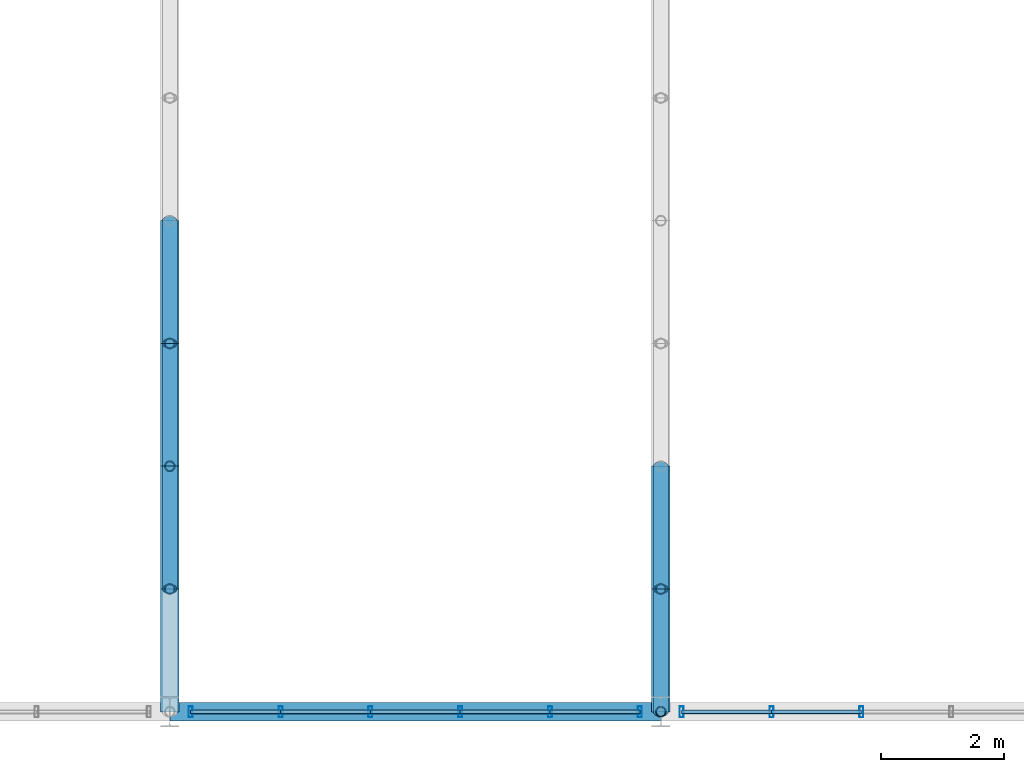
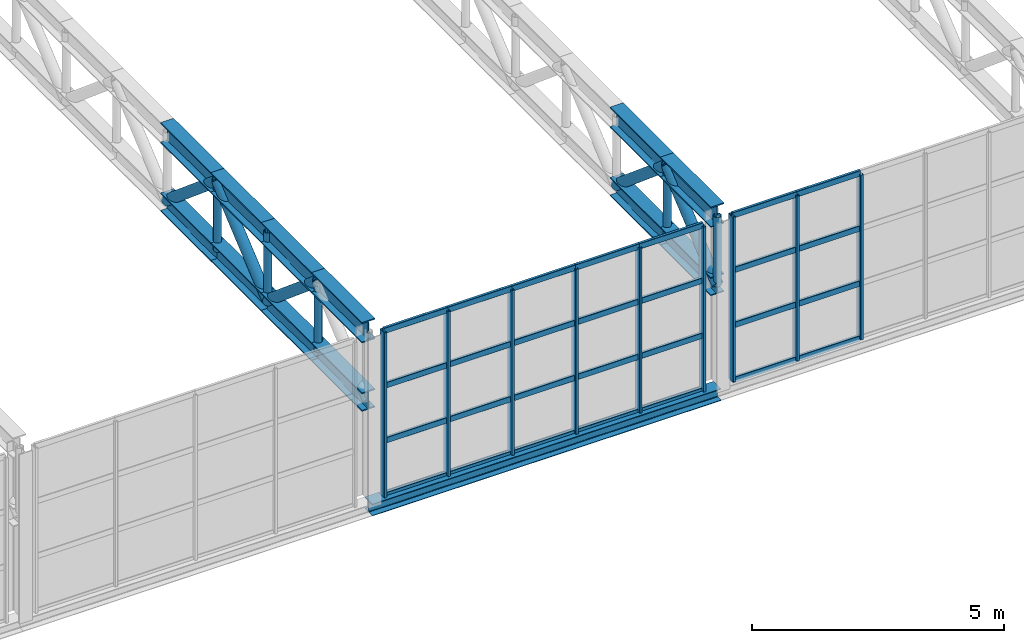
# One storey, part 13 of 67: 59 members, 1 beam, 2 elements without a shape of their own.
"""IFC4 building model written with IfcOpenShell, lengths in metres."""

from ifc_helpers import new_model, si_unit, derived_unit, direction, frame, origin, origin_2d, place, context, subcontext, project, spatial, hollow_rectangle, hollow_circle, i_section, extrude, material, material_profile, profile_set, type_object, element, aggregate, save


model = new_model("IFC4")

# Units and contexts
model_context = context("Model", 3, precision=1e-05, world=origin(), true_north=direction((0.0, 1.0)))
body_context = subcontext(model_context, "Body", "Model", "MODEL_VIEW")
ifc_project = project(units=[si_unit("LENGTHUNIT", "METRE"), si_unit("AREAUNIT", "SQUARE_METRE"), si_unit("VOLUMEUNIT", "CUBIC_METRE"), si_unit("PLANEANGLEUNIT", "RADIAN"), si_unit("MASSUNIT", "GRAM", prefix="KILO"), derived_unit("THERMALTRANSMITTANCEUNIT", [(si_unit("POWERUNIT", "WATT"), 1), (si_unit("LENGTHUNIT", "METRE"), -2), (si_unit("THERMODYNAMICTEMPERATUREUNIT", "KELVIN"), -1)])], contexts=[model_context])

# Site, building, storey
site_placement = place(None, origin())
site = spatial("IfcSite", under=ifc_project, at=site_placement, CompositionType="ELEMENT")
building_placement = place(site_placement, origin())
building = spatial("IfcBuilding", under=site, at=building_placement, Name="Keldorne Ridge Multi-Sports Centre", CompositionType="ELEMENT")
storey_placement = place(building_placement, frame((0.0, 0.0, 14.0)))
storey = spatial("IfcBuildingStorey", under=building, at=storey_placement, Name="L03", CompositionType="ELEMENT", Elevation=14.0)

# Beam
ifc_material_1 = material(Name="Steel S355", Category="steel")
ifc_material_profile_1 = material_profile(ifc_material_1, i_section(OverallWidth=0.300048828125, OverallDepth=0.2900390625, WebThickness=0.008544921875, FlangeThickness=0.013916015625, FilletRadius=0.027099609375, at=origin_2d()), Name="HEA 300")
ifc_profile_set_1 = profile_set([ifc_material_profile_1], Name="Steel S355")
beam_type = type_object("IfcBeamType", Name="BM-SP-04", PredefinedType="SPANDREL", material=ifc_profile_set_1)
beam_placement = place(storey_placement, frame((120.0, 6.0, -0.14990234375), z_axis=(1.0, 0.0, 0.0), x_axis=(0.0, 1.0, 0.0)))
element("IfcBeam", 1, at=beam_placement, inside=storey, type_object=beam_type, Name="Stacked Courts spandrel L03.6.3", PredefinedType="SPANDREL", context=body_context, shape_type="SweptSolid", body=[
    extrude(i_section(OverallWidth=0.300048828125, OverallDepth=0.2900390625, WebThickness=0.008544921875, FlangeThickness=0.013916015625, FilletRadius=0.027099609375, at=origin_2d()), origin(), (0.0, 0.0, 1.0), 8.0),
])

# Curtain wall, members
ifc_material_2 = material(Name="Anodized aluminium", Category="aluminium")
curtain_wall_type_1 = type_object("IfcCurtainWallType", Name="CW-CW-06", PredefinedType="NOTDEFINED", material=ifc_material_2)
curtain_wall_1_placement = place(storey_placement, origin())
curtain_wall_1 = element("IfcCurtainWall", 2, at=curtain_wall_1_placement, inside=storey, type_object=curtain_wall_type_1, Name="Upper Courts high clerestory 102", PredefinedType="NOTDEFINED")
ifc_material_profile_2 = material_profile(ifc_material_2, hollow_rectangle(XDim=0.06494140625, YDim=0.179931640625, WallThickness=0.00439453125, InnerFilletRadius=0.00439453125, OuterFilletRadius=0.009033203125, at=origin_2d()), Name="ALU MULLION 180x65x4.5")
ifc_profile_set_2 = profile_set([ifc_material_profile_2], Name="Anodized aluminium")
member_type_1 = type_object("IfcMemberType", Name="MEM-ML-01", PredefinedType="MULLION", material=ifc_profile_set_2)
member_1_placement = place(storey_placement, frame((120.340087890625, 6.0, 0.0), z_axis=(0.0, 0.0, 1.0), x_axis=(1.0, 0.0, 0.0)))
member_1 = element("IfcMember", 3, at=member_1_placement, type_object=member_type_1, Name="CW-102 vertical mullion 1", PredefinedType="MULLION", context=body_context, shape_type="SweptSolid", body=[
    extrude(hollow_rectangle(XDim=0.06494140625, YDim=0.179931640625, WallThickness=0.00439453125, InnerFilletRadius=0.00439453125, OuterFilletRadius=0.009033203125, at=origin_2d()), origin(), (0.0, 0.0, 1.0), 4.0),
])
member_2_placement = place(storey_placement, frame((121.803955078125, 6.0, 0.0), z_axis=(0.0, 0.0, 1.0), x_axis=(1.0, 0.0, 0.0)))
member_2 = element("IfcMember", 4, at=member_2_placement, type_object=member_type_1, Name="CW-102 vertical mullion 2", PredefinedType="MULLION", context=body_context, shape_type="SweptSolid", body=[
    extrude(hollow_rectangle(XDim=0.06494140625, YDim=0.179931640625, WallThickness=0.00439453125, InnerFilletRadius=0.00439453125, OuterFilletRadius=0.009033203125, at=origin_2d()), origin(), (0.0, 0.0, 1.0), 4.0),
])
member_3_placement = place(storey_placement, frame((123.26806640625, 6.0, 0.0), z_axis=(0.0, 0.0, 1.0), x_axis=(1.0, 0.0, 0.0)))
member_3 = element("IfcMember", 5, at=member_3_placement, type_object=member_type_1, Name="CW-102 vertical mullion 3", PredefinedType="MULLION", context=body_context, shape_type="SweptSolid", body=[
    extrude(hollow_rectangle(XDim=0.06494140625, YDim=0.179931640625, WallThickness=0.00439453125, InnerFilletRadius=0.00439453125, OuterFilletRadius=0.009033203125, at=origin_2d()), origin(), (0.0, 0.0, 1.0), 4.0),
])
member_4_placement = place(storey_placement, frame((124.73193359375, 6.0, 0.0), z_axis=(0.0, 0.0, 1.0), x_axis=(1.0, 0.0, 0.0)))
member_4 = element("IfcMember", 6, at=member_4_placement, type_object=member_type_1, Name="CW-102 vertical mullion 4", PredefinedType="MULLION", context=body_context, shape_type="SweptSolid", body=[
    extrude(hollow_rectangle(XDim=0.06494140625, YDim=0.179931640625, WallThickness=0.00439453125, InnerFilletRadius=0.00439453125, OuterFilletRadius=0.009033203125, at=origin_2d()), origin(), (0.0, 0.0, 1.0), 4.0),
])
member_5_placement = place(storey_placement, frame((126.196044921875, 6.0, 0.0), z_axis=(0.0, 0.0, 1.0), x_axis=(1.0, 0.0, 0.0)))
member_5 = element("IfcMember", 7, at=member_5_placement, type_object=member_type_1, Name="CW-102 vertical mullion 5", PredefinedType="MULLION", context=body_context, shape_type="SweptSolid", body=[
    extrude(hollow_rectangle(XDim=0.06494140625, YDim=0.179931640625, WallThickness=0.00439453125, InnerFilletRadius=0.00439453125, OuterFilletRadius=0.009033203125, at=origin_2d()), origin(), (0.0, 0.0, 1.0), 4.0),
])
member_6_placement = place(storey_placement, frame((127.659912109375, 6.0, 0.0), z_axis=(0.0, 0.0, 1.0), x_axis=(1.0, 0.0, 0.0)))
member_6 = element("IfcMember", 8, at=member_6_placement, type_object=member_type_1, Name="CW-102 vertical mullion 6", PredefinedType="MULLION", context=body_context, shape_type="SweptSolid", body=[
    extrude(hollow_rectangle(XDim=0.06494140625, YDim=0.179931640625, WallThickness=0.00439453125, InnerFilletRadius=0.00439453125, OuterFilletRadius=0.009033203125, at=origin_2d()), origin(), (0.0, 0.0, 1.0), 4.0),
])

curtain_wall_type_2 = type_object("IfcCurtainWallType", Name="CW-CW-04", PredefinedType="NOTDEFINED", material=ifc_material_2)
curtain_wall_2_placement = place(storey_placement, origin())
curtain_wall_2 = element("IfcCurtainWall", 9, at=curtain_wall_2_placement, inside=storey, type_object=curtain_wall_type_2, Name="Upper Courts high clerestory 108", PredefinedType="NOTDEFINED")
member_7_placement = place(storey_placement, frame((128.340087890625, 6.0, 0.0), z_axis=(0.0, 0.0, 1.0), x_axis=(1.0, 0.0, 0.0)))
member_7 = element("IfcMember", 10, at=member_7_placement, type_object=member_type_1, Name="CW-108 vertical mullion 1", PredefinedType="MULLION", context=body_context, shape_type="SweptSolid", body=[
    extrude(hollow_rectangle(XDim=0.06494140625, YDim=0.179931640625, WallThickness=0.00439453125, InnerFilletRadius=0.00439453125, OuterFilletRadius=0.009033203125, at=origin_2d()), origin(), (0.0, 0.0, 1.0), 4.0),
])
member_8_placement = place(storey_placement, frame((129.803955078125, 6.0, 0.0), z_axis=(0.0, 0.0, 1.0), x_axis=(1.0, 0.0, 0.0)))
member_8 = element("IfcMember", 11, at=member_8_placement, type_object=member_type_1, Name="CW-108 vertical mullion 2", PredefinedType="MULLION", context=body_context, shape_type="SweptSolid", body=[
    extrude(hollow_rectangle(XDim=0.06494140625, YDim=0.179931640625, WallThickness=0.00439453125, InnerFilletRadius=0.00439453125, OuterFilletRadius=0.009033203125, at=origin_2d()), origin(), (0.0, 0.0, 1.0), 4.0),
])
member_9_placement = place(storey_placement, frame((131.26806640625, 6.0, 0.0), z_axis=(0.0, 0.0, 1.0), x_axis=(1.0, 0.0, 0.0)))
member_9 = element("IfcMember", 12, at=member_9_placement, type_object=member_type_1, Name="CW-108 vertical mullion 3", PredefinedType="MULLION", context=body_context, shape_type="SweptSolid", body=[
    extrude(hollow_rectangle(XDim=0.06494140625, YDim=0.179931640625, WallThickness=0.00439453125, InnerFilletRadius=0.00439453125, OuterFilletRadius=0.009033203125, at=origin_2d()), origin(), (0.0, 0.0, 1.0), 4.0),
])

# Members
ifc_material_profile_3 = material_profile(ifc_material_1, i_section(OverallWidth=0.300048828125, OverallDepth=0.5, WebThickness=0.014404296875, FlangeThickness=0.028076171875, FilletRadius=0.027099609375, at=origin_2d()), Name="HEB 500")
ifc_profile_set_3 = profile_set([ifc_material_profile_3], Name="Steel S355")
member_type_2 = type_object("IfcMemberType", Name="MEM-TC-03", PredefinedType="CHORD", material=ifc_profile_set_3)
for number, where, z_axis, x_axis, name in (
    (13, (120.0, 6.0, 4.110107421875), (0.0, 1.0, 0.0), (-1.0, 0.0, 0.0), "Stacked Courts Warren TRUSS WT-L04-03 top chord 1"),
    (14, (120.0, 8.0, 4.110107421875), (0.0, 1.0, 0.0), (-1.0, 0.0, 0.0), "Stacked Courts Warren TRUSS WT-L04-03 top chord 2"),
    (15, (120.0, 10.0, 4.110107421875), (0.0, 1.0, 0.0), (-1.0, 0.0, 0.0), "Stacked Courts Warren TRUSS WT-L04-03 top chord 3"),
    (16, (120.0, 12.0, 4.110107421875), (0.0, 1.0, 0.0), (-1.0, 0.0, 0.0), "Stacked Courts Warren TRUSS WT-L04-03 top chord 4"),
    (17, (128.0, 6.0, 4.110107421875), (0.0, 1.0, 0.0), (-1.0, 0.0, 0.0), "Stacked Courts Warren TRUSS WT-L04-04 top chord 1"),
    (18, (128.0, 8.0, 4.110107421875), (0.0, 1.0, 0.0), (-1.0, 0.0, 0.0), "Stacked Courts Warren TRUSS WT-L04-04 top chord 2"),
):
    element("IfcMember", number, at=place(storey_placement, frame(where, z_axis=z_axis, x_axis=x_axis)), inside=storey, type_object=member_type_2, Name=name, PredefinedType="CHORD", context=body_context, shape_type="SweptSolid", body=[
        extrude(i_section(OverallWidth=0.300048828125, OverallDepth=0.5, WebThickness=0.014404296875, FlangeThickness=0.028076171875, FilletRadius=0.027099609375, at=origin_2d()), origin(), (0.0, 0.0, 1.0), 2.0),
    ])
ifc_material_profile_4 = material_profile(ifc_material_1, i_section(OverallWidth=0.300048828125, OverallDepth=0.449951171875, WebThickness=0.013916015625, FlangeThickness=0.02587890625, FilletRadius=0.027099609375, at=origin_2d()), Name="HEB 450")
ifc_profile_set_4 = profile_set([ifc_material_profile_4], Name="Steel S355")
member_type_3 = type_object("IfcMemberType", Name="MEM-TC-04", PredefinedType="CHORD", material=ifc_profile_set_4)
for number, where, z_axis, x_axis, name in (
    (19, (120.0, 6.0, 2.429931640625), (0.0, 1.0, 0.0), (-1.0, 0.0, 0.0), "Stacked Courts Warren TRUSS WT-L04-03 bottom chord 1"),
    (20, (120.0, 8.0, 2.429931640625), (0.0, 1.0, 0.0), (-1.0, 0.0, 0.0), "Stacked Courts Warren TRUSS WT-L04-03 bottom chord 2"),
    (21, (120.0, 10.0, 2.429931640625), (0.0, 1.0, 0.0), (-1.0, 0.0, 0.0), "Stacked Courts Warren TRUSS WT-L04-03 bottom chord 3"),
    (22, (120.0, 12.0, 2.429931640625), (0.0, 1.0, 0.0), (-1.0, 0.0, 0.0), "Stacked Courts Warren TRUSS WT-L04-03 bottom chord 4"),
    (23, (128.0, 6.0, 2.429931640625), (0.0, 1.0, 0.0), (-1.0, 0.0, 0.0), "Stacked Courts Warren TRUSS WT-L04-04 bottom chord 1"),
    (24, (128.0, 8.0, 2.429931640625), (0.0, 1.0, 0.0), (-1.0, 0.0, 0.0), "Stacked Courts Warren TRUSS WT-L04-04 bottom chord 2"),
):
    element("IfcMember", number, at=place(storey_placement, frame(where, z_axis=z_axis, x_axis=x_axis)), inside=storey, type_object=member_type_3, Name=name, PredefinedType="CHORD", context=body_context, shape_type="SweptSolid", body=[
        extrude(i_section(OverallWidth=0.300048828125, OverallDepth=0.449951171875, WebThickness=0.013916015625, FlangeThickness=0.02587890625, FilletRadius=0.027099609375, at=origin_2d()), origin(), (0.0, 0.0, 1.0), 2.0),
    ])
ifc_material_profile_5 = material_profile(ifc_material_1, hollow_circle(Radius=0.122314453125, WallThickness=0.012451171875, at=origin_2d()), Name="CHS 244.5x12.5")
ifc_profile_set_5 = profile_set([ifc_material_profile_5], Name="Steel S355")
member_type_4 = type_object("IfcMemberType", Name="MEM-TD-02", PredefinedType="BRACE", material=ifc_profile_set_5)
for number, where, z_axis, x_axis, name in (
    (25, (120.0, 8.0, 4.110107421875), (0.0, 0.765671721121, -0.643231541108), (-1.0, 0.0, 0.0), "Stacked Courts Warren TRUSS WT-L04-03 diagonal 2"),
    (26, (120.0, 10.0, 2.429931640625), (0.0, 0.765671721121, 0.643231541108), (-1.0, 0.0, 0.0), "Stacked Courts Warren TRUSS WT-L04-03 diagonal 3"),
    (27, (120.0, 12.0, 4.110107421875), (0.0, 0.765671721121, -0.643231541108), (-1.0, 0.0, 0.0), "Stacked Courts Warren TRUSS WT-L04-03 diagonal 4"),
    (28, (128.0, 6.0, 2.429931640625), (0.0, 0.765671721121, 0.643231541108), (-1.0, 0.0, 0.0), "Stacked Courts Warren TRUSS WT-L04-04 diagonal 1"),
    (29, (128.0, 8.0, 4.110107421875), (0.0, 0.765671721121, -0.643231541108), (-1.0, 0.0, 0.0), "Stacked Courts Warren TRUSS WT-L04-04 diagonal 2"),
):
    element("IfcMember", number, at=place(storey_placement, frame(where, z_axis=z_axis, x_axis=x_axis)), inside=storey, type_object=member_type_4, Name=name, PredefinedType="BRACE", context=body_context, shape_type="SweptSolid", body=[
        extrude(hollow_circle(Radius=0.122314453125, WallThickness=0.012451171875, at=origin_2d()), origin(), (0.0, 0.0, 1.0), 2.612060546875),
    ])

# Member
ifc_material_profile_6 = material_profile(ifc_material_2, hollow_rectangle(XDim=0.06494140625, YDim=0.139892578125, WallThickness=0.00439453125, InnerFilletRadius=0.00439453125, OuterFilletRadius=0.009033203125, at=origin_2d()), Name="ALU TRANSOM 140x65x4.5")
ifc_profile_set_6 = profile_set([ifc_material_profile_6], Name="Anodized aluminium")
member_type_5 = type_object("IfcMemberType", Name="MEM-TR-01", PredefinedType="USERDEFINED", material=ifc_profile_set_6)
member_10_placement = place(storey_placement, frame((120.340087890625, 6.0, 0.0), z_axis=(1.0, 0.0, 0.0), x_axis=(0.0, 1.0, 0.0)))
member_10 = element("IfcMember", 30, at=member_10_placement, type_object=member_type_5, Name="CW-102 transom 1.1", ObjectType="TRANSOM", PredefinedType="USERDEFINED", context=body_context, shape_type="SweptSolid", body=[
    extrude(hollow_rectangle(XDim=0.06494140625, YDim=0.139892578125, WallThickness=0.00439453125, InnerFilletRadius=0.00439453125, OuterFilletRadius=0.009033203125, at=origin_2d()), origin(), (0.0, 0.0, 1.0), 1.4638671875),
])

member_11_placement = place(storey_placement, frame((120.340087890625, 6.0, 1.333251953125), z_axis=(1.0, 0.0, 0.0), x_axis=(0.0, 1.0, 0.0)))
member_11 = element("IfcMember", 31, at=member_11_placement, type_object=member_type_5, Name="CW-102 transom 1.2", ObjectType="TRANSOM", PredefinedType="USERDEFINED", context=body_context, shape_type="SweptSolid", body=[
    extrude(hollow_rectangle(XDim=0.06494140625, YDim=0.139892578125, WallThickness=0.00439453125, InnerFilletRadius=0.00439453125, OuterFilletRadius=0.009033203125, at=origin_2d()), origin(), (0.0, 0.0, 1.0), 1.4638671875),
])

member_12_placement = place(storey_placement, frame((120.340087890625, 6.0, 2.666748046875), z_axis=(1.0, 0.0, 0.0), x_axis=(0.0, 1.0, 0.0)))
member_12 = element("IfcMember", 32, at=member_12_placement, type_object=member_type_5, Name="CW-102 transom 1.3", ObjectType="TRANSOM", PredefinedType="USERDEFINED", context=body_context, shape_type="SweptSolid", body=[
    extrude(hollow_rectangle(XDim=0.06494140625, YDim=0.139892578125, WallThickness=0.00439453125, InnerFilletRadius=0.00439453125, OuterFilletRadius=0.009033203125, at=origin_2d()), origin(), (0.0, 0.0, 1.0), 1.4638671875),
])

member_13_placement = place(storey_placement, frame((120.340087890625, 6.0, 4.0), z_axis=(1.0, 0.0, 0.0), x_axis=(0.0, 1.0, 0.0)))
member_13 = element("IfcMember", 33, at=member_13_placement, type_object=member_type_5, Name="CW-102 transom 1.4", ObjectType="TRANSOM", PredefinedType="USERDEFINED", context=body_context, shape_type="SweptSolid", body=[
    extrude(hollow_rectangle(XDim=0.06494140625, YDim=0.139892578125, WallThickness=0.00439453125, InnerFilletRadius=0.00439453125, OuterFilletRadius=0.009033203125, at=origin_2d()), origin(), (0.0, 0.0, 1.0), 1.4638671875),
])

member_14_placement = place(storey_placement, frame((121.803955078125, 6.0, 0.0), z_axis=(1.0, 0.0, 0.0), x_axis=(0.0, 1.0, 0.0)))
member_14 = element("IfcMember", 34, at=member_14_placement, type_object=member_type_5, Name="CW-102 transom 2.1", ObjectType="TRANSOM", PredefinedType="USERDEFINED", context=body_context, shape_type="SweptSolid", body=[
    extrude(hollow_rectangle(XDim=0.06494140625, YDim=0.139892578125, WallThickness=0.00439453125, InnerFilletRadius=0.00439453125, OuterFilletRadius=0.009033203125, at=origin_2d()), origin(), (0.0, 0.0, 1.0), 1.464111328125),
])

member_15_placement = place(storey_placement, frame((121.803955078125, 6.0, 1.333251953125), z_axis=(1.0, 0.0, 0.0), x_axis=(0.0, 1.0, 0.0)))
member_15 = element("IfcMember", 35, at=member_15_placement, type_object=member_type_5, Name="CW-102 transom 2.2", ObjectType="TRANSOM", PredefinedType="USERDEFINED", context=body_context, shape_type="SweptSolid", body=[
    extrude(hollow_rectangle(XDim=0.06494140625, YDim=0.139892578125, WallThickness=0.00439453125, InnerFilletRadius=0.00439453125, OuterFilletRadius=0.009033203125, at=origin_2d()), origin(), (0.0, 0.0, 1.0), 1.464111328125),
])

member_16_placement = place(storey_placement, frame((121.803955078125, 6.0, 2.666748046875), z_axis=(1.0, 0.0, 0.0), x_axis=(0.0, 1.0, 0.0)))
member_16 = element("IfcMember", 36, at=member_16_placement, type_object=member_type_5, Name="CW-102 transom 2.3", ObjectType="TRANSOM", PredefinedType="USERDEFINED", context=body_context, shape_type="SweptSolid", body=[
    extrude(hollow_rectangle(XDim=0.06494140625, YDim=0.139892578125, WallThickness=0.00439453125, InnerFilletRadius=0.00439453125, OuterFilletRadius=0.009033203125, at=origin_2d()), origin(), (0.0, 0.0, 1.0), 1.464111328125),
])

member_17_placement = place(storey_placement, frame((121.803955078125, 6.0, 4.0), z_axis=(1.0, 0.0, 0.0), x_axis=(0.0, 1.0, 0.0)))
member_17 = element("IfcMember", 37, at=member_17_placement, type_object=member_type_5, Name="CW-102 transom 2.4", ObjectType="TRANSOM", PredefinedType="USERDEFINED", context=body_context, shape_type="SweptSolid", body=[
    extrude(hollow_rectangle(XDim=0.06494140625, YDim=0.139892578125, WallThickness=0.00439453125, InnerFilletRadius=0.00439453125, OuterFilletRadius=0.009033203125, at=origin_2d()), origin(), (0.0, 0.0, 1.0), 1.464111328125),
])

member_18_placement = place(storey_placement, frame((123.26806640625, 6.0, 0.0), z_axis=(1.0, 0.0, 0.0), x_axis=(0.0, 1.0, 0.0)))
member_18 = element("IfcMember", 38, at=member_18_placement, type_object=member_type_5, Name="CW-102 transom 3.1", ObjectType="TRANSOM", PredefinedType="USERDEFINED", context=body_context, shape_type="SweptSolid", body=[
    extrude(hollow_rectangle(XDim=0.06494140625, YDim=0.139892578125, WallThickness=0.00439453125, InnerFilletRadius=0.00439453125, OuterFilletRadius=0.009033203125, at=origin_2d()), origin(), (0.0, 0.0, 1.0), 1.4638671875),
])

member_19_placement = place(storey_placement, frame((123.26806640625, 6.0, 1.333251953125), z_axis=(1.0, 0.0, 0.0), x_axis=(0.0, 1.0, 0.0)))
member_19 = element("IfcMember", 39, at=member_19_placement, type_object=member_type_5, Name="CW-102 transom 3.2", ObjectType="TRANSOM", PredefinedType="USERDEFINED", context=body_context, shape_type="SweptSolid", body=[
    extrude(hollow_rectangle(XDim=0.06494140625, YDim=0.139892578125, WallThickness=0.00439453125, InnerFilletRadius=0.00439453125, OuterFilletRadius=0.009033203125, at=origin_2d()), origin(), (0.0, 0.0, 1.0), 1.4638671875),
])

member_20_placement = place(storey_placement, frame((123.26806640625, 6.0, 2.666748046875), z_axis=(1.0, 0.0, 0.0), x_axis=(0.0, 1.0, 0.0)))
member_20 = element("IfcMember", 40, at=member_20_placement, type_object=member_type_5, Name="CW-102 transom 3.3", ObjectType="TRANSOM", PredefinedType="USERDEFINED", context=body_context, shape_type="SweptSolid", body=[
    extrude(hollow_rectangle(XDim=0.06494140625, YDim=0.139892578125, WallThickness=0.00439453125, InnerFilletRadius=0.00439453125, OuterFilletRadius=0.009033203125, at=origin_2d()), origin(), (0.0, 0.0, 1.0), 1.4638671875),
])

member_21_placement = place(storey_placement, frame((123.26806640625, 6.0, 4.0), z_axis=(1.0, 0.0, 0.0), x_axis=(0.0, 1.0, 0.0)))
member_21 = element("IfcMember", 41, at=member_21_placement, type_object=member_type_5, Name="CW-102 transom 3.4", ObjectType="TRANSOM", PredefinedType="USERDEFINED", context=body_context, shape_type="SweptSolid", body=[
    extrude(hollow_rectangle(XDim=0.06494140625, YDim=0.139892578125, WallThickness=0.00439453125, InnerFilletRadius=0.00439453125, OuterFilletRadius=0.009033203125, at=origin_2d()), origin(), (0.0, 0.0, 1.0), 1.4638671875),
])

member_22_placement = place(storey_placement, frame((124.73193359375, 6.0, 0.0), z_axis=(1.0, 0.0, 0.0), x_axis=(0.0, 1.0, 0.0)))
member_22 = element("IfcMember", 42, at=member_22_placement, type_object=member_type_5, Name="CW-102 transom 4.1", ObjectType="TRANSOM", PredefinedType="USERDEFINED", context=body_context, shape_type="SweptSolid", body=[
    extrude(hollow_rectangle(XDim=0.06494140625, YDim=0.139892578125, WallThickness=0.00439453125, InnerFilletRadius=0.00439453125, OuterFilletRadius=0.009033203125, at=origin_2d()), origin(), (0.0, 0.0, 1.0), 1.464111328125),
])

member_23_placement = place(storey_placement, frame((124.73193359375, 6.0, 1.333251953125), z_axis=(1.0, 0.0, 0.0), x_axis=(0.0, 1.0, 0.0)))
member_23 = element("IfcMember", 43, at=member_23_placement, type_object=member_type_5, Name="CW-102 transom 4.2", ObjectType="TRANSOM", PredefinedType="USERDEFINED", context=body_context, shape_type="SweptSolid", body=[
    extrude(hollow_rectangle(XDim=0.06494140625, YDim=0.139892578125, WallThickness=0.00439453125, InnerFilletRadius=0.00439453125, OuterFilletRadius=0.009033203125, at=origin_2d()), origin(), (0.0, 0.0, 1.0), 1.464111328125),
])

member_24_placement = place(storey_placement, frame((124.73193359375, 6.0, 2.666748046875), z_axis=(1.0, 0.0, 0.0), x_axis=(0.0, 1.0, 0.0)))
member_24 = element("IfcMember", 44, at=member_24_placement, type_object=member_type_5, Name="CW-102 transom 4.3", ObjectType="TRANSOM", PredefinedType="USERDEFINED", context=body_context, shape_type="SweptSolid", body=[
    extrude(hollow_rectangle(XDim=0.06494140625, YDim=0.139892578125, WallThickness=0.00439453125, InnerFilletRadius=0.00439453125, OuterFilletRadius=0.009033203125, at=origin_2d()), origin(), (0.0, 0.0, 1.0), 1.464111328125),
])

member_25_placement = place(storey_placement, frame((124.73193359375, 6.0, 4.0), z_axis=(1.0, 0.0, 0.0), x_axis=(0.0, 1.0, 0.0)))
member_25 = element("IfcMember", 45, at=member_25_placement, type_object=member_type_5, Name="CW-102 transom 4.4", ObjectType="TRANSOM", PredefinedType="USERDEFINED", context=body_context, shape_type="SweptSolid", body=[
    extrude(hollow_rectangle(XDim=0.06494140625, YDim=0.139892578125, WallThickness=0.00439453125, InnerFilletRadius=0.00439453125, OuterFilletRadius=0.009033203125, at=origin_2d()), origin(), (0.0, 0.0, 1.0), 1.464111328125),
])

member_26_placement = place(storey_placement, frame((126.196044921875, 6.0, 0.0), z_axis=(1.0, 0.0, 0.0), x_axis=(0.0, 1.0, 0.0)))
member_26 = element("IfcMember", 46, at=member_26_placement, type_object=member_type_5, Name="CW-102 transom 5.1", ObjectType="TRANSOM", PredefinedType="USERDEFINED", context=body_context, shape_type="SweptSolid", body=[
    extrude(hollow_rectangle(XDim=0.06494140625, YDim=0.139892578125, WallThickness=0.00439453125, InnerFilletRadius=0.00439453125, OuterFilletRadius=0.009033203125, at=origin_2d()), origin(), (0.0, 0.0, 1.0), 1.4638671875),
])

member_27_placement = place(storey_placement, frame((126.196044921875, 6.0, 1.333251953125), z_axis=(1.0, 0.0, 0.0), x_axis=(0.0, 1.0, 0.0)))
member_27 = element("IfcMember", 47, at=member_27_placement, type_object=member_type_5, Name="CW-102 transom 5.2", ObjectType="TRANSOM", PredefinedType="USERDEFINED", context=body_context, shape_type="SweptSolid", body=[
    extrude(hollow_rectangle(XDim=0.06494140625, YDim=0.139892578125, WallThickness=0.00439453125, InnerFilletRadius=0.00439453125, OuterFilletRadius=0.009033203125, at=origin_2d()), origin(), (0.0, 0.0, 1.0), 1.4638671875),
])

member_28_placement = place(storey_placement, frame((126.196044921875, 6.0, 2.666748046875), z_axis=(1.0, 0.0, 0.0), x_axis=(0.0, 1.0, 0.0)))
member_28 = element("IfcMember", 48, at=member_28_placement, type_object=member_type_5, Name="CW-102 transom 5.3", ObjectType="TRANSOM", PredefinedType="USERDEFINED", context=body_context, shape_type="SweptSolid", body=[
    extrude(hollow_rectangle(XDim=0.06494140625, YDim=0.139892578125, WallThickness=0.00439453125, InnerFilletRadius=0.00439453125, OuterFilletRadius=0.009033203125, at=origin_2d()), origin(), (0.0, 0.0, 1.0), 1.4638671875),
])

member_29_placement = place(storey_placement, frame((126.196044921875, 6.0, 4.0), z_axis=(1.0, 0.0, 0.0), x_axis=(0.0, 1.0, 0.0)))
member_29 = element("IfcMember", 49, at=member_29_placement, type_object=member_type_5, Name="CW-102 transom 5.4", ObjectType="TRANSOM", PredefinedType="USERDEFINED", context=body_context, shape_type="SweptSolid", body=[
    extrude(hollow_rectangle(XDim=0.06494140625, YDim=0.139892578125, WallThickness=0.00439453125, InnerFilletRadius=0.00439453125, OuterFilletRadius=0.009033203125, at=origin_2d()), origin(), (0.0, 0.0, 1.0), 1.4638671875),
])

aggregate(curtain_wall_1, [member_1, member_2, member_3, member_4, member_5, member_6, member_10, member_11, member_12, member_13, member_14, member_15, member_16, member_17, member_18, member_19, member_20, member_21, member_22, member_23, member_24, member_25, member_26, member_27, member_28, member_29])

member_30_placement = place(storey_placement, frame((128.340087890625, 6.0, 0.0), z_axis=(1.0, 0.0, 0.0), x_axis=(0.0, 1.0, 0.0)))
member_30 = element("IfcMember", 50, at=member_30_placement, type_object=member_type_5, Name="CW-108 transom 1.1", ObjectType="TRANSOM", PredefinedType="USERDEFINED", context=body_context, shape_type="SweptSolid", body=[
    extrude(hollow_rectangle(XDim=0.06494140625, YDim=0.139892578125, WallThickness=0.00439453125, InnerFilletRadius=0.00439453125, OuterFilletRadius=0.009033203125, at=origin_2d()), origin(), (0.0, 0.0, 1.0), 1.4638671875),
])

member_31_placement = place(storey_placement, frame((128.340087890625, 6.0, 1.333251953125), z_axis=(1.0, 0.0, 0.0), x_axis=(0.0, 1.0, 0.0)))
member_31 = element("IfcMember", 51, at=member_31_placement, type_object=member_type_5, Name="CW-108 transom 1.2", ObjectType="TRANSOM", PredefinedType="USERDEFINED", context=body_context, shape_type="SweptSolid", body=[
    extrude(hollow_rectangle(XDim=0.06494140625, YDim=0.139892578125, WallThickness=0.00439453125, InnerFilletRadius=0.00439453125, OuterFilletRadius=0.009033203125, at=origin_2d()), origin(), (0.0, 0.0, 1.0), 1.4638671875),
])

member_32_placement = place(storey_placement, frame((128.340087890625, 6.0, 2.666748046875), z_axis=(1.0, 0.0, 0.0), x_axis=(0.0, 1.0, 0.0)))
member_32 = element("IfcMember", 52, at=member_32_placement, type_object=member_type_5, Name="CW-108 transom 1.3", ObjectType="TRANSOM", PredefinedType="USERDEFINED", context=body_context, shape_type="SweptSolid", body=[
    extrude(hollow_rectangle(XDim=0.06494140625, YDim=0.139892578125, WallThickness=0.00439453125, InnerFilletRadius=0.00439453125, OuterFilletRadius=0.009033203125, at=origin_2d()), origin(), (0.0, 0.0, 1.0), 1.4638671875),
])

member_33_placement = place(storey_placement, frame((128.340087890625, 6.0, 4.0), z_axis=(1.0, 0.0, 0.0), x_axis=(0.0, 1.0, 0.0)))
member_33 = element("IfcMember", 53, at=member_33_placement, type_object=member_type_5, Name="CW-108 transom 1.4", ObjectType="TRANSOM", PredefinedType="USERDEFINED", context=body_context, shape_type="SweptSolid", body=[
    extrude(hollow_rectangle(XDim=0.06494140625, YDim=0.139892578125, WallThickness=0.00439453125, InnerFilletRadius=0.00439453125, OuterFilletRadius=0.009033203125, at=origin_2d()), origin(), (0.0, 0.0, 1.0), 1.4638671875),
])

member_34_placement = place(storey_placement, frame((129.803955078125, 6.0, 0.0), z_axis=(1.0, 0.0, 0.0), x_axis=(0.0, 1.0, 0.0)))
member_34 = element("IfcMember", 54, at=member_34_placement, type_object=member_type_5, Name="CW-108 transom 2.1", ObjectType="TRANSOM", PredefinedType="USERDEFINED", context=body_context, shape_type="SweptSolid", body=[
    extrude(hollow_rectangle(XDim=0.06494140625, YDim=0.139892578125, WallThickness=0.00439453125, InnerFilletRadius=0.00439453125, OuterFilletRadius=0.009033203125, at=origin_2d()), origin(), (0.0, 0.0, 1.0), 1.464111328125),
])

member_35_placement = place(storey_placement, frame((129.803955078125, 6.0, 1.333251953125), z_axis=(1.0, 0.0, 0.0), x_axis=(0.0, 1.0, 0.0)))
member_35 = element("IfcMember", 55, at=member_35_placement, type_object=member_type_5, Name="CW-108 transom 2.2", ObjectType="TRANSOM", PredefinedType="USERDEFINED", context=body_context, shape_type="SweptSolid", body=[
    extrude(hollow_rectangle(XDim=0.06494140625, YDim=0.139892578125, WallThickness=0.00439453125, InnerFilletRadius=0.00439453125, OuterFilletRadius=0.009033203125, at=origin_2d()), origin(), (0.0, 0.0, 1.0), 1.464111328125),
])

member_36_placement = place(storey_placement, frame((129.803955078125, 6.0, 2.666748046875), z_axis=(1.0, 0.0, 0.0), x_axis=(0.0, 1.0, 0.0)))
member_36 = element("IfcMember", 56, at=member_36_placement, type_object=member_type_5, Name="CW-108 transom 2.3", ObjectType="TRANSOM", PredefinedType="USERDEFINED", context=body_context, shape_type="SweptSolid", body=[
    extrude(hollow_rectangle(XDim=0.06494140625, YDim=0.139892578125, WallThickness=0.00439453125, InnerFilletRadius=0.00439453125, OuterFilletRadius=0.009033203125, at=origin_2d()), origin(), (0.0, 0.0, 1.0), 1.464111328125),
])

member_37_placement = place(storey_placement, frame((129.803955078125, 6.0, 4.0), z_axis=(1.0, 0.0, 0.0), x_axis=(0.0, 1.0, 0.0)))
member_37 = element("IfcMember", 57, at=member_37_placement, type_object=member_type_5, Name="CW-108 transom 2.4", ObjectType="TRANSOM", PredefinedType="USERDEFINED", context=body_context, shape_type="SweptSolid", body=[
    extrude(hollow_rectangle(XDim=0.06494140625, YDim=0.139892578125, WallThickness=0.00439453125, InnerFilletRadius=0.00439453125, OuterFilletRadius=0.009033203125, at=origin_2d()), origin(), (0.0, 0.0, 1.0), 1.464111328125),
])

aggregate(curtain_wall_2, [member_7, member_8, member_9, member_30, member_31, member_32, member_33, member_34, member_35, member_36, member_37])

# Members
ifc_material_profile_7 = material_profile(ifc_material_1, hollow_circle(Radius=0.084228515625, WallThickness=0.010009765625, at=origin_2d()), Name="CHS 168.3x10")
ifc_profile_set_7 = profile_set([ifc_material_profile_7], Name="Steel S355")
member_type_6 = type_object("IfcMemberType", Name="MEM-TV-01", PredefinedType="STRUT", material=ifc_profile_set_7)
for number, where, z_axis, x_axis, name in (
    (58, (120.0, 8.0, 2.429931640625), (0.0, 0.0, 1.0), (1.0, 0.0, 0.0), "Stacked Courts Warren TRUSS WT-L04-03 post 2"),
    (59, (120.0, 10.0, 2.429931640625), (0.0, 0.0, 1.0), (1.0, 0.0, 0.0), "Stacked Courts Warren TRUSS WT-L04-03 post 3"),
    (60, (120.0, 12.0, 2.429931640625), (0.0, 0.0, 1.0), (1.0, 0.0, 0.0), "Stacked Courts Warren TRUSS WT-L04-03 post 4"),
    (61, (128.0, 6.0, 2.429931640625), (0.0, 0.0, 1.0), (1.0, 0.0, 0.0), "Stacked Courts Warren TRUSS WT-L04-04 post 1"),
    (62, (128.0, 8.0, 2.429931640625), (0.0, 0.0, 1.0), (1.0, 0.0, 0.0), "Stacked Courts Warren TRUSS WT-L04-04 post 2"),
):
    element("IfcMember", number, at=place(storey_placement, frame(where, z_axis=z_axis, x_axis=x_axis)), inside=storey, type_object=member_type_6, Name=name, PredefinedType="STRUT", context=body_context, shape_type="SweptSolid", body=[
        extrude(hollow_circle(Radius=0.084228515625, WallThickness=0.010009765625, at=origin_2d()), origin(), (0.0, 0.0, 1.0), 1.68017578125),
    ])

save(model, "model.ifc")
